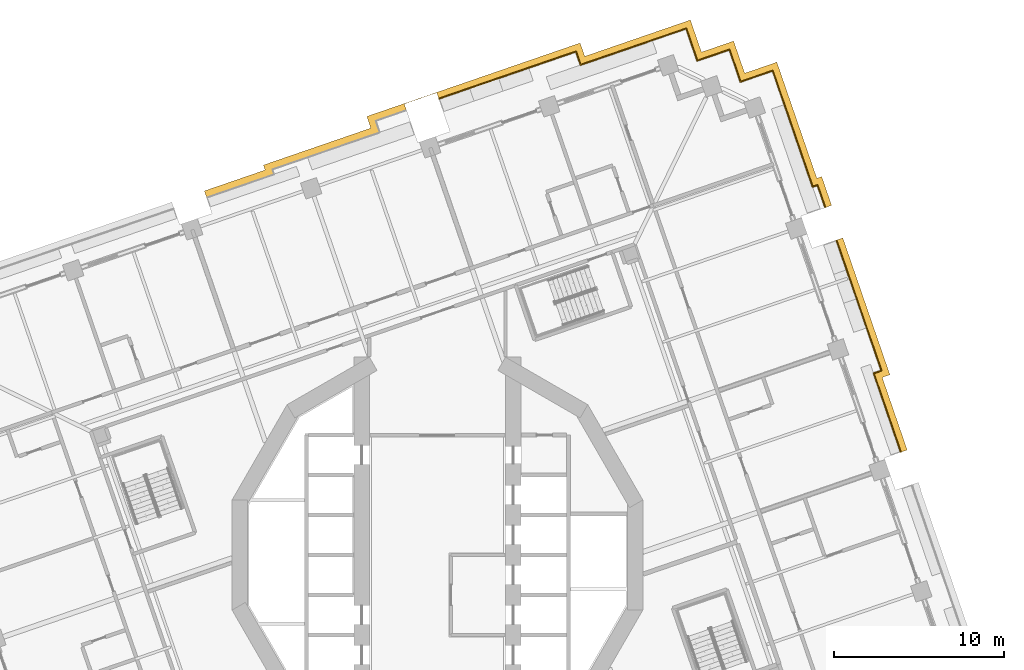
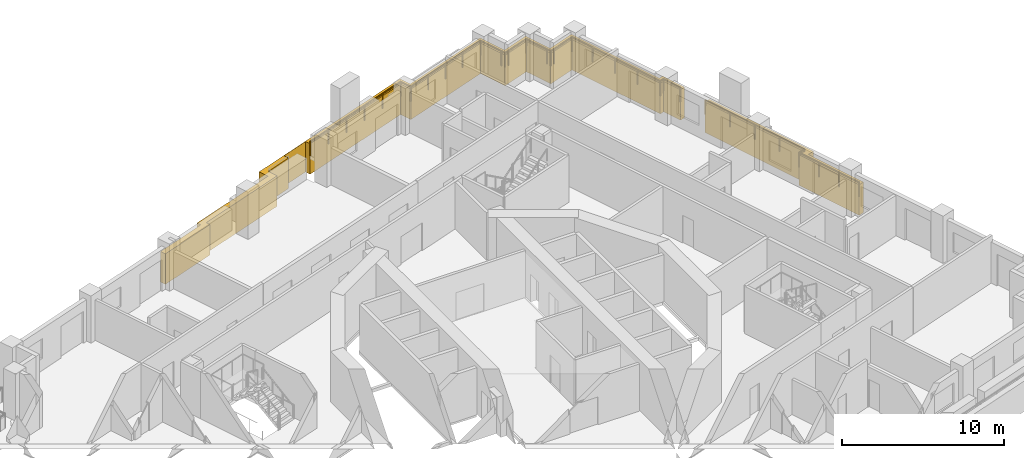
# One storey, part 17 of 18: 4 railings, 2 coverings.
"""IFC4 building model written with IfcOpenShell, lengths in metres."""

from ifc_helpers import new_model, si_unit, direction, frame, origin, origin_2d, place, context, subcontext, project, spatial, polyline, circle, outline, extrude, material, type_object, element, save


model = new_model("IFC4")

# Units and contexts
model_context = context("Model", 3, precision=1e-05, world=origin(), true_north=direction((0.0, 1.0)))
body_context = subcontext(model_context, "Body", "Model", "MODEL_VIEW")
ifc_project = project(units=[si_unit("LENGTHUNIT", "METRE"), si_unit("AREAUNIT", "SQUARE_METRE"), si_unit("VOLUMEUNIT", "CUBIC_METRE"), si_unit("PLANEANGLEUNIT", "RADIAN"), si_unit("MASSUNIT", "GRAM", prefix="KILO")], contexts=[model_context])

# Site, building, storey
site_placement = place(None, origin())
site = spatial("IfcSite", under=ifc_project, at=site_placement, CompositionType="ELEMENT")
building_placement = place(site_placement, origin())
building = spatial("IfcBuilding", under=site, at=building_placement, Name="Cantera Rosa Tower", CompositionType="ELEMENT")
storey_placement = place(building_placement, frame((0.0, 0.0, 134.5)))
storey = spatial("IfcBuildingStorey", under=building, at=storey_placement, Name="L28", CompositionType="ELEMENT", Elevation=134.5)

# Railings
ifc_material_1 = material(Name="Stainless steel and laminated glass", Category="steel")
railing_type = type_object("IfcRailingType", Name="GUARD 1100", PredefinedType="BALUSTRADE", material=ifc_material_1)
railing_1_placement = place(storey_placement, frame((25.639892578125, 10.688232421875, 0.0)))
element("IfcRailing", 1, at=railing_1_placement, inside=storey, type_object=railing_type, Name="GUARD L28-12", PredefinedType="BALUSTRADE", context=body_context, shape_type="SweptSolid", body=[
    extrude(circle(Radius=0.030029296875, at=origin_2d()), frame((0.0, 0.0, 1.070068359375), z_axis=(0.325576621032, -0.945515660281, 0.0), x_axis=(0.945515660281, 0.325576621032, 0.0)), (0.0, 0.0, 1.0), 4.888427734375),
    extrude(circle(Radius=0.02490234375, at=origin_2d()), origin(), (0.0, 0.0, 1.0), 1.0400390625),
    extrude(circle(Radius=0.02490234375, at=origin_2d()), frame((0.530517578125, -1.540771484375, 0.0)), (0.0, 0.0, 1.0), 1.0400390625),
    extrude(circle(Radius=0.02490234375, at=origin_2d()), frame((1.06103515625, -3.081298828125, 0.0)), (0.0, 0.0, 1.0), 1.0400390625),
    extrude(circle(Radius=0.02490234375, at=origin_2d()), frame((1.591552734375, -4.6220703125, 0.0)), (0.0, 0.0, 1.0), 1.0400390625),
])
railing_2_placement = place(storey_placement, frame((23.458251953125, 18.494873046875, 0.0)))
element("IfcRailing", 2, at=railing_2_placement, inside=storey, type_object=railing_type, Name="GUARD L28-13", PredefinedType="BALUSTRADE", context=body_context, shape_type="SweptSolid", body=[
    extrude(circle(Radius=0.030029296875, at=origin_2d()), frame((0.0, 0.0, 1.070068359375), z_axis=(0.325589884349, -0.945511093118, 0.0), x_axis=(0.945511093118, 0.325589884349, 0.0)), (0.0, 0.0, 1.0), 8.091552734375),
    extrude(circle(Radius=0.030029296875, at=origin_2d()), frame((2.634521484375, -7.650634765625, 1.070068359375), z_axis=(-0.94547584758, -0.325692219193, 0.0), x_axis=(0.325692219193, -0.94547584758, 0.0)), (0.0, 0.0, 1.0), 0.47900390625),
    extrude(circle(Radius=0.02490234375, at=origin_2d()), origin(), (0.0, 0.0, 1.0), 1.0400390625),
    extrude(circle(Radius=0.02490234375, at=origin_2d()), frame((0.65869140625, -1.91259765625, 0.0)), (0.0, 0.0, 1.0), 1.0400390625),
    extrude(circle(Radius=0.02490234375, at=origin_2d()), frame((1.3173828125, -3.8251953125, 0.0)), (0.0, 0.0, 1.0), 1.0400390625),
    extrude(circle(Radius=0.02490234375, at=origin_2d()), frame((1.975830078125, -5.738037109375, 0.0)), (0.0, 0.0, 1.0), 1.0400390625),
    extrude(circle(Radius=0.02490234375, at=origin_2d()), frame((2.634521484375, -7.650634765625, 0.0)), (0.0, 0.0, 1.0), 1.0400390625),
    extrude(circle(Radius=0.02490234375, at=origin_2d()), frame((2.181640625, -7.806640625, 0.0)), (0.0, 0.0, 1.0), 1.0400390625),
])
railing_3_placement = place(storey_placement, frame((19.705810546875, 28.466552734375, 0.0)))
element("IfcRailing", 3, at=railing_3_placement, inside=storey, type_object=railing_type, Name="GUARD L28-14", PredefinedType="BALUSTRADE", context=body_context, shape_type="SweptSolid", body=[
    extrude(circle(Radius=0.030029296875, at=origin_2d()), frame((0.0, 0.0, 1.070068359375), z_axis=(0.325561349174, -0.945520918819, 0.0), x_axis=(0.945520918819, 0.325561349174, 0.0)), (0.0, 0.0, 1.0), 1.699951171875),
    extrude(circle(Radius=0.030029296875, at=origin_2d()), frame((0.553466796875, -1.607421875, 1.070068359375), z_axis=(0.325569350846, -0.945518163649, 0.0), x_axis=(0.945518163649, 0.325569350846, 0.0)), (0.0, 0.0, 1.0), 5.518310546875),
    extrude(circle(Radius=0.030029296875, at=origin_2d()), frame((2.35009765625, -6.8251953125, 1.070068359375), z_axis=(0.945562091627, 0.325441747289, 0.0), x_axis=(-0.325441747289, 0.945562091627, 0.0)), (0.0, 0.0, 1.0), 0.301513671875),
    extrude(circle(Radius=0.030029296875, at=origin_2d()), frame((2.63525390625, -6.72705078125, 1.070068359375), z_axis=(0.325557288709, -0.945522316907, 0.0), x_axis=(0.945522316907, 0.325557288709, 0.0)), (0.0, 0.0, 1.0), 1.37158203125),
    extrude(circle(Radius=0.02490234375, at=origin_2d()), origin(), (0.0, 0.0, 1.0), 1.0400390625),
    extrude(circle(Radius=0.02490234375, at=origin_2d()), frame((0.553466796875, -1.607421875, 0.0)), (0.0, 0.0, 1.0), 1.0400390625),
    extrude(circle(Radius=0.02490234375, at=origin_2d()), frame((1.15234375, -3.3466796875, 0.0)), (0.0, 0.0, 1.0), 1.0400390625),
    extrude(circle(Radius=0.02490234375, at=origin_2d()), frame((1.751220703125, -5.0859375, 0.0)), (0.0, 0.0, 1.0), 1.0400390625),
    extrude(circle(Radius=0.02490234375, at=origin_2d()), frame((2.35009765625, -6.8251953125, 0.0)), (0.0, 0.0, 1.0), 1.0400390625),
    extrude(circle(Radius=0.02490234375, at=origin_2d()), frame((2.63525390625, -6.72705078125, 0.0)), (0.0, 0.0, 1.0), 1.0400390625),
    extrude(circle(Radius=0.02490234375, at=origin_2d()), frame((3.081787109375, -8.02392578125, 0.0)), (0.0, 0.0, 1.0), 1.0400390625),
])
railing_4_placement = place(storey_placement, frame((0.1015625, 26.82666015625, 0.0)))
element("IfcRailing", 4, at=railing_4_placement, inside=storey, type_object=railing_type, Name="GUARD L28-15", PredefinedType="BALUSTRADE", context=body_context, shape_type="SweptSolid", body=[
    extrude(circle(Radius=0.030029296875, at=origin_2d()), frame((0.0, 0.0, 1.070068359375), z_axis=(0.945515705573, 0.3255764895, 0.0), x_axis=(-0.3255764895, 0.945515705573, 0.0)), (0.0, 0.0, 1.0), 8.501953125),
    extrude(circle(Radius=0.030029296875, at=origin_2d()), frame((8.038818359375, 2.76806640625, 1.070068359375), z_axis=(0.325629026099, -0.94549761362, 0.0), x_axis=(0.94549761362, 0.325629026099, 0.0)), (0.0, 0.0, 1.0), 0.832275390625),
    extrude(circle(Radius=0.030029296875, at=origin_2d()), frame((8.309814453125, 1.981201171875, 1.070068359375), z_axis=(0.945512531249, 0.325585707997, 0.0), x_axis=(-0.325585707997, 0.945512531249, 0.0)), (0.0, 0.0, 1.0), 4.867919921875),
    extrude(circle(Radius=0.030029296875, at=origin_2d()), frame((12.91259765625, 3.566162109375, 1.070068359375), z_axis=(0.945520918819, 0.325561349174, 0.0), x_axis=(-0.325561349174, 0.945520918819, 0.0)), (0.0, 0.0, 1.0), 1.699951171875),
    extrude(circle(Radius=0.030029296875, at=origin_2d()), frame((14.52001953125, 4.11962890625, 1.070068359375), z_axis=(0.325561349174, -0.945520918819, 0.0), x_axis=(0.945520918819, 0.325561349174, 0.0)), (0.0, 0.0, 1.0), 1.699951171875),
    extrude(circle(Radius=0.030029296875, at=origin_2d()), frame((15.073486328125, 2.51220703125, 1.070068359375), z_axis=(0.325489086777, -0.945545797087, 0.0), x_axis=(0.945545797087, 0.325489086777, 0.0)), (0.0, 0.0, 1.0), 0.300048828125),
    extrude(circle(Radius=0.030029296875, at=origin_2d()), frame((15.171142578125, 2.228515625, 1.070068359375), z_axis=(0.945459489149, 0.325739703411, 0.0), x_axis=(-0.325739703411, 0.945459489149, 0.0)), (0.0, 0.0, 1.0), 0.2998046875),
    extrude(circle(Radius=0.030029296875, at=origin_2d()), frame((15.45458984375, 2.326171875, 1.070068359375), z_axis=(0.945520918819, 0.325561349174, 0.0), x_axis=(-0.325561349174, 0.945520918819, 0.0)), (0.0, 0.0, 1.0), 1.699951171875),
    extrude(circle(Radius=0.030029296875, at=origin_2d()), frame((17.06201171875, 2.879638671875, 1.070068359375), z_axis=(0.325605561237, -0.945505694584, 0.0), x_axis=(0.945505694584, 0.325605561237, 0.0)), (0.0, 0.0, 1.0), 1.69970703125),
    extrude(circle(Radius=0.030029296875, at=origin_2d()), frame((17.615478515625, 1.2724609375, 1.070068359375), z_axis=(0.325489086777, -0.945545797087, 0.0), x_axis=(0.945545797087, 0.325489086777, 0.0)), (0.0, 0.0, 1.0), 0.300048828125),
    extrude(circle(Radius=0.030029296875, at=origin_2d()), frame((17.713134765625, 0.98876953125, 1.070068359375), z_axis=(0.945545797087, 0.325489086777, 0.0), x_axis=(-0.325489086777, 0.945545797087, 0.0)), (0.0, 0.0, 1.0), 0.300048828125),
    extrude(circle(Radius=0.030029296875, at=origin_2d()), frame((17.996826171875, 1.08642578125, 1.070068359375), z_axis=(0.945520918819, 0.325561349174, 0.0), x_axis=(-0.325561349174, 0.945520918819, 0.0)), (0.0, 0.0, 1.0), 1.699951171875),
    extrude(circle(Radius=0.02490234375, at=origin_2d()), origin(), (0.0, 0.0, 1.0), 1.0400390625),
    extrude(circle(Radius=0.02490234375, at=origin_2d()), frame((1.607666015625, 0.5537109375, 0.0)), (0.0, 0.0, 1.0), 1.0400390625),
    extrude(circle(Radius=0.02490234375, at=origin_2d()), frame((3.215576171875, 1.107177734375, 0.0)), (0.0, 0.0, 1.0), 1.0400390625),
    extrude(circle(Radius=0.02490234375, at=origin_2d()), frame((4.8232421875, 1.660888671875, 0.0)), (0.0, 0.0, 1.0), 1.0400390625),
    extrude(circle(Radius=0.02490234375, at=origin_2d()), frame((6.43115234375, 2.21435546875, 0.0)), (0.0, 0.0, 1.0), 1.0400390625),
    extrude(circle(Radius=0.02490234375, at=origin_2d()), frame((8.038818359375, 2.76806640625, 0.0)), (0.0, 0.0, 1.0), 1.0400390625),
    extrude(circle(Radius=0.02490234375, at=origin_2d()), frame((8.309814453125, 1.981201171875, 0.0)), (0.0, 0.0, 1.0), 1.0400390625),
    extrude(circle(Radius=0.02490234375, at=origin_2d()), frame((9.843994140625, 2.509521484375, 0.0)), (0.0, 0.0, 1.0), 1.0400390625),
    extrude(circle(Radius=0.02490234375, at=origin_2d()), frame((11.37841796875, 3.037841796875, 0.0)), (0.0, 0.0, 1.0), 1.0400390625),
    extrude(circle(Radius=0.02490234375, at=origin_2d()), frame((12.91259765625, 3.566162109375, 0.0)), (0.0, 0.0, 1.0), 1.0400390625),
    extrude(circle(Radius=0.02490234375, at=origin_2d()), frame((14.52001953125, 4.11962890625, 0.0)), (0.0, 0.0, 1.0), 1.0400390625),
    extrude(circle(Radius=0.02490234375, at=origin_2d()), frame((15.073486328125, 2.51220703125, 0.0)), (0.0, 0.0, 1.0), 1.0400390625),
    extrude(circle(Radius=0.02490234375, at=origin_2d()), frame((15.171142578125, 2.228515625, 0.0)), (0.0, 0.0, 1.0), 1.0400390625),
    extrude(circle(Radius=0.02490234375, at=origin_2d()), frame((15.45458984375, 2.326171875, 0.0)), (0.0, 0.0, 1.0), 1.0400390625),
    extrude(circle(Radius=0.02490234375, at=origin_2d()), frame((17.06201171875, 2.879638671875, 0.0)), (0.0, 0.0, 1.0), 1.0400390625),
    extrude(circle(Radius=0.02490234375, at=origin_2d()), frame((17.615478515625, 1.2724609375, 0.0)), (0.0, 0.0, 1.0), 1.0400390625),
    extrude(circle(Radius=0.02490234375, at=origin_2d()), frame((17.713134765625, 0.98876953125, 0.0)), (0.0, 0.0, 1.0), 1.0400390625),
    extrude(circle(Radius=0.02490234375, at=origin_2d()), frame((17.996826171875, 1.08642578125, 0.0)), (0.0, 0.0, 1.0), 1.0400390625),
    extrude(circle(Radius=0.02490234375, at=origin_2d()), frame((19.604248046875, 1.639892578125, 0.0)), (0.0, 0.0, 1.0), 1.0400390625),
])

# Coverings
ifc_material_2 = material(Name="Cantera stone", Category="masonry")
covering_type = type_object("IfcCoveringType", Name="TRAY FASCIA 400", PredefinedType="CLADDING", material=ifc_material_2)
covering_1_placement = place(storey_placement, frame((0.0, 0.0, -1.39990234375)))
element("IfcCovering", 5, at=covering_1_placement, inside=storey, type_object=covering_type, Name="TRAY FASCIA L28-04", PredefinedType="CLADDING", context=body_context, shape_type="SweptSolid", body=[
    extrude(outline(polyline([(-13.6201171875, 21.433349609375), (-10.128173828125, 22.6357421875), (-10.22802734375, 22.926025390625), (-3.916748046875, 25.09912109375), (-4.15283203125, 25.78466796875), (8.388427734375, 30.10302734375), (8.6591796875, 29.31640625), (12.8837890625, 30.77099609375), (14.869384765625, 31.454833984375), (15.5205078125, 29.563720703125), (17.41162109375, 30.21484375), (18.062744140625, 28.32373046875), (19.953857421875, 28.974853515625), (20.637451171875, 26.9892578125), (22.303955078125, 22.14990234375), (22.589111328125, 22.248046875), (23.17236328125, 20.553955078125), (22.794189453125, 20.423828125), (22.341064453125, 21.739501953125), (22.055908203125, 21.641357421875), (20.25927734375, 26.859130859375), (19.705810546875, 28.466552734375), (18.098388671875, 27.9130859375), (17.814697265625, 27.8154296875), (17.717041015625, 28.09912109375), (17.16357421875, 29.706298828125), (15.55615234375, 29.15283203125), (15.272705078125, 29.05517578125), (15.175048828125, 29.3388671875), (14.62158203125, 30.9462890625), (13.01416015625, 30.392822265625), (8.411376953125, 28.807861328125), (8.140380859375, 29.5947265625), (0.082763671875, 26.820068359375), (-0.037109375, 27.16796875), (-0.037353515625, 27.1689453125), (-0.037841796875, 27.169921875), (-0.038330078125, 27.170654296875), (-0.0390625, 27.17138671875), (-0.039794921875, 27.172119140625), (-0.04052734375, 27.1728515625), (-0.041259765625, 27.17333984375), (-0.042236328125, 27.173828125), (-0.04296875, 27.17431640625), (-0.0439453125, 27.174560546875), (-0.044921875, 27.1748046875), (-0.0458984375, 27.1748046875), (-0.046875, 27.1748046875), (-0.0478515625, 27.1748046875), (-0.048828125, 27.174560546875), (-0.0498046875, 27.17431640625), (-1.94091796875, 26.523193359375), (-1.941650390625, 26.522705078125), (-1.942626953125, 26.522216796875), (-1.943359375, 26.521728515625), (-1.944091796875, 26.521240234375), (-1.94482421875, 26.5205078125), (-1.945556640625, 26.519775390625), (-1.946044921875, 26.51904296875), (-1.946533203125, 26.51806640625), (-1.947021484375, 26.51708984375), (-1.947265625, 26.516357421875), (-1.947509765625, 26.515380859375), (-1.947509765625, 26.514404296875), (-1.947509765625, 26.513427734375), (-1.947509765625, 26.512451171875), (-1.947265625, 26.511474609375), (-1.947021484375, 26.510498046875), (-1.8271484375, 26.162353515625), (-3.64453125, 25.53662109375), (-3.408447265625, 24.85107421875), (-9.7197265625, 22.677978515625), (-9.619873046875, 22.387939453125), (-13.48974609375, 21.05517578125), (-13.574951171875, 21.02587890625), (-13.705078125, 21.404052734375), (-13.6201171875, 21.433349609375)])), origin(), (0.0, 0.0, 1.0), 2.2998046875),
])
covering_2_placement = place(storey_placement, frame((0.0, 0.0, -1.39990234375)))
element("IfcCovering", 6, at=covering_2_placement, inside=storey, type_object=covering_type, Name="TRAY FASCIA L28-05", PredefinedType="CLADDING", context=body_context, shape_type="SweptSolid", body=[
    extrude(outline(polyline([(26.60107421875, 10.59619140625), (26.1484375, 10.440185546875), (27.6162109375, 6.177490234375), (27.238037109375, 6.04736328125), (25.639892578125, 10.688232421875), (26.0927734375, 10.84423828125), (23.45166015625, 18.513916015625), (23.830078125, 18.64404296875), (26.60107421875, 10.59619140625)])), origin(), (0.0, 0.0, 1.0), 2.2998046875),
])

save(model, "model.ifc")
